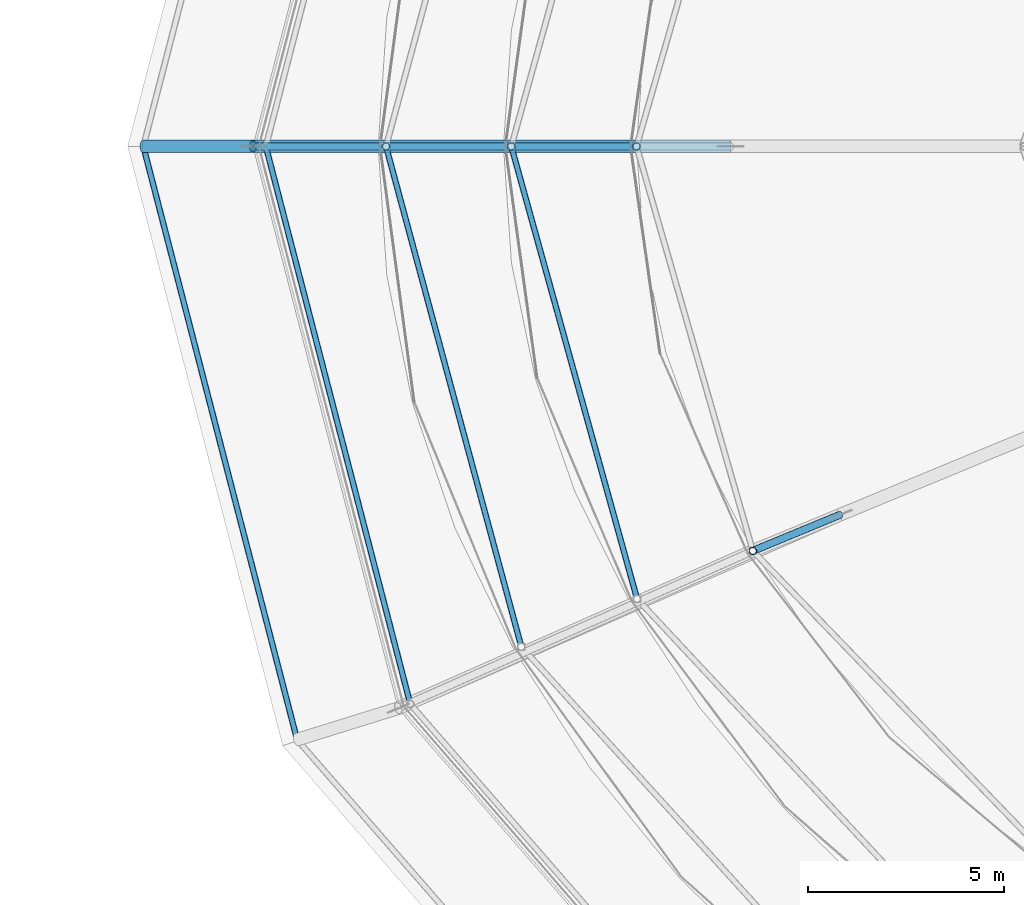
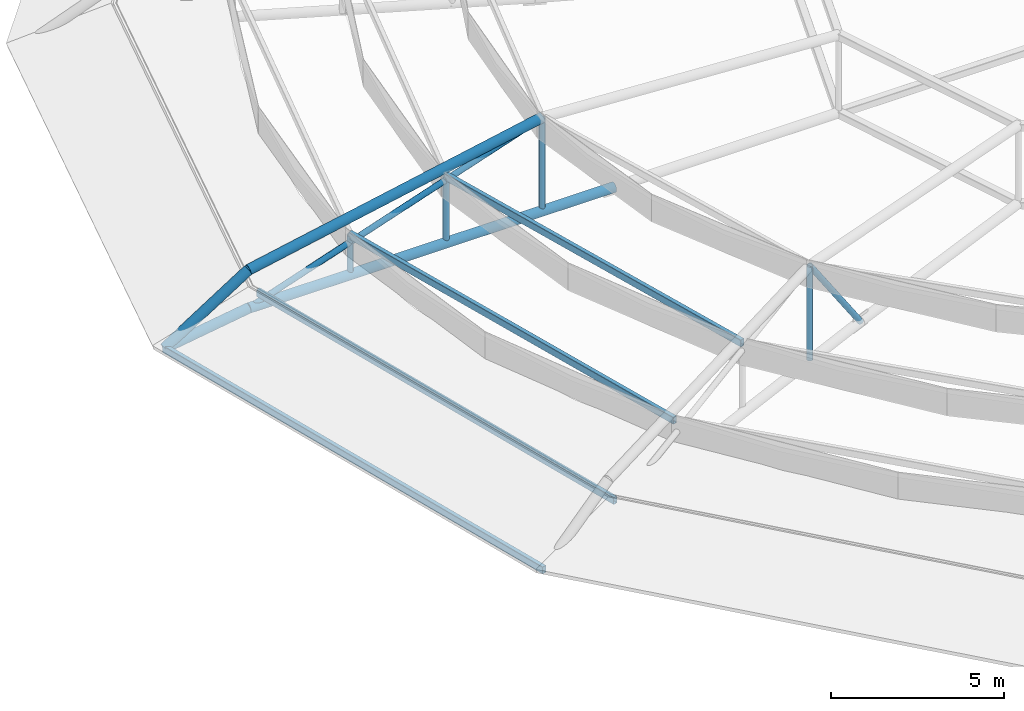
# One storey, part 17 of 134: 10 members, 4 beams.
"""IFC4 building model written with IfcOpenShell, lengths in metres."""

from ifc_helpers import new_model, si_unit, derived_unit, direction, frame, origin, origin_2d, place, context, subcontext, project, spatial, hollow_rectangle, hollow_circle, extrude, material, material_profile, profile_set, type_object, element, save


model = new_model("IFC4")

# Units and contexts
model_context = context("Model", 3, precision=1e-05, world=origin(), true_north=direction((0.0, 1.0)))
body_context = subcontext(model_context, "Body", "Model", "MODEL_VIEW")
ifc_project = project(units=[si_unit("LENGTHUNIT", "METRE"), si_unit("AREAUNIT", "SQUARE_METRE"), si_unit("VOLUMEUNIT", "CUBIC_METRE"), si_unit("PLANEANGLEUNIT", "RADIAN"), si_unit("MASSUNIT", "GRAM", prefix="KILO"), derived_unit("THERMALTRANSMITTANCEUNIT", [(si_unit("MASSUNIT", "GRAM", prefix="KILO"), 1), (si_unit("TIMEUNIT", "SECOND"), -3), (si_unit("THERMODYNAMICTEMPERATUREUNIT", "KELVIN"), -1)])], contexts=[model_context])

# Site, building, storey
site_placement = place(None, origin())
site = spatial("IfcSite", under=ifc_project, at=site_placement, CompositionType="ELEMENT")
building_placement = place(site_placement, origin())
building = spatial("IfcBuilding", under=site, at=building_placement, Name="Kharveza Railside Sports Centre", CompositionType="ELEMENT")
storey_placement = place(building_placement, frame((0.0, 0.0, 12.89990234375)))
storey = spatial("IfcBuildingStorey", under=building, at=storey_placement, Name="L03", CompositionType="ELEMENT", Elevation=12.89990234375)

# Beams
ifc_material = material(Name="Steel S355J2", Category="steel")
ifc_material_profile_1 = material_profile(ifc_material, hollow_rectangle(XDim=0.14990234375, YDim=0.25, WallThickness=0.010009765625, InnerFilletRadius=0.010009765625, OuterFilletRadius=0.02001953125, at=origin_2d()), Name="RHS 150x250x10.0")
ifc_profile_set_1 = profile_set([ifc_material_profile_1], Name="Steel S355J2")
beam_type = type_object("IfcBeamType", Name="BM-SP04", PredefinedType="SPANDREL", material=ifc_profile_set_1)
beam_1_placement = place(storey_placement, frame((6.1298828125, 50.39990234375, 0.405029296875), z_axis=(0.250724368606, -0.968058516303, 0.0), x_axis=(0.968058516303, 0.250724368606, 0.0)))
element("IfcBeam", 1, at=beam_1_placement, inside=storey, type_object=beam_type, Name="BM-LIDRING-S1-09", PredefinedType="SPANDREL", context=body_context, shape_type="SweptSolid", body=[
    extrude(hollow_rectangle(XDim=0.14990234375, YDim=0.25, WallThickness=0.010009765625, InnerFilletRadius=0.010009765625, OuterFilletRadius=0.02001953125, at=origin_2d()), origin(), (0.0, 0.0, 1.0), 14.716064453125),
])
beam_2_placement = place(storey_placement, frame((9.199951171875, 50.39990234375, 1.35498046875), z_axis=(0.26100423144, -0.965337656559, 0.0), x_axis=(0.965337656559, 0.26100423144, 0.0)))
element("IfcBeam", 2, at=beam_2_placement, inside=storey, type_object=beam_type, Name="BM-LIDRING-S2-09", PredefinedType="SPANDREL", context=body_context, shape_type="SweptSolid", body=[
    extrude(hollow_rectangle(XDim=0.14990234375, YDim=0.25, WallThickness=0.010009765625, InnerFilletRadius=0.010009765625, OuterFilletRadius=0.02001953125, at=origin_2d()), origin(), (0.0, 0.0, 1.0), 13.240478515625),
])
beam_3_placement = place(storey_placement, frame((12.39990234375, 50.39990234375, 2.30517578125), z_axis=(0.267810769771, -0.963471531284, 0.0), x_axis=(0.963471531284, 0.267810769771, 0.0)))
element("IfcBeam", 3, at=beam_3_placement, inside=storey, type_object=beam_type, Name="BM-LIDRING-S3-09", PredefinedType="SPANDREL", context=body_context, shape_type="SweptSolid", body=[
    extrude(hollow_rectangle(XDim=0.14990234375, YDim=0.25, WallThickness=0.010009765625, InnerFilletRadius=0.010009765625, OuterFilletRadius=0.02001953125, at=origin_2d()), origin(), (0.0, 0.0, 1.0), 11.9951171875),
])
beam_4_placement = place(storey_placement, frame((3.0, 50.39990234375, -0.47998046875), z_axis=(0.250896670111, -0.968013874346, 0.0), x_axis=(0.968013874346, 0.250896670111, 0.0)))
element("IfcBeam", 4, at=beam_4_placement, inside=storey, type_object=beam_type, Name="BM-LIDRING-RIM-09", PredefinedType="SPANDREL", context=body_context, shape_type="SweptSolid", body=[
    extrude(hollow_rectangle(XDim=0.14990234375, YDim=0.25, WallThickness=0.010009765625, InnerFilletRadius=0.010009765625, OuterFilletRadius=0.02001953125, at=origin_2d()), origin(), (0.0, 0.0, 1.0), 15.65478515625),
])

# Members
ifc_material_profile_2 = material_profile(ifc_material, hollow_circle(Radius=0.161865234375, WallThickness=0.01611328125, at=origin_2d()), Name="CHS 323.9x16.0")
ifc_profile_set_2 = profile_set([ifc_material_profile_2], Name="Steel S355J2")
member_type_1 = type_object("IfcMemberType", Name="MB-CH02", PredefinedType="CHORD", material=ifc_profile_set_2)
member_1_placement = place(storey_placement, frame((18.0, 50.39990234375, -0.0498046875), z_axis=(-1.0, 0.0, 0.0), x_axis=(0.0, -1.0, 0.0)))
element("IfcMember", 5, at=member_1_placement, inside=storey, type_object=member_type_1, Name="MB-OUT-BC2-09", PredefinedType="CHORD", context=body_context, shape_type="SweptSolid", body=[
    extrude(hollow_circle(Radius=0.161865234375, WallThickness=0.01611328125, at=origin_2d()), origin(), (0.0, 0.0, 1.0), 12.199951171875),
])
member_2_placement = place(storey_placement, frame((5.800048828125, 50.39990234375, -0.0498046875), z_axis=(-0.98840355771, 0.0, -0.151849949314), x_axis=(0.0, -1.0, 0.0)))
element("IfcMember", 6, at=member_2_placement, inside=storey, type_object=member_type_1, Name="MB-OUT-BC3-09", PredefinedType="CHORD", context=body_context, shape_type="SweptSolid", body=[
    extrude(hollow_circle(Radius=0.161865234375, WallThickness=0.01611328125, at=origin_2d()), origin(), (0.0, 0.0, 1.0), 2.8330078125),
])
member_3_placement = place(storey_placement, frame((15.60009765625, 50.39990234375, 3.25), z_axis=(-0.98077378423, 0.0, -0.195148108284), x_axis=(0.0, -1.0, 0.0)))
element("IfcMember", 7, at=member_3_placement, inside=storey, type_object=member_type_1, Name="MB-OUT-TC2-09", PredefinedType="CHORD", context=body_context, shape_type="SweptSolid", body=[
    extrude(hollow_circle(Radius=0.161865234375, WallThickness=0.01611328125, at=origin_2d()), origin(), (0.0, 0.0, 1.0), 9.9921875),
])
member_4_placement = place(storey_placement, frame((5.800048828125, 50.39990234375, 1.300048828125), z_axis=(-0.843909844233, 0.0, -0.53648501825), x_axis=(0.0, -1.0, 0.0)))
element("IfcMember", 8, at=member_4_placement, inside=storey, type_object=member_type_1, Name="MB-OUT-TC3-09", PredefinedType="CHORD", context=body_context, shape_type="SweptSolid", body=[
    extrude(hollow_circle(Radius=0.161865234375, WallThickness=0.01611328125, at=origin_2d()), origin(), (0.0, 0.0, 1.0), 3.31787109375),
])
ifc_material_profile_3 = material_profile(ifc_material, hollow_circle(Radius=0.096923828125, WallThickness=0.010009765625, at=origin_2d()), Name="CHS 193.7x10.0")
ifc_profile_set_3 = profile_set([ifc_material_profile_3], Name="Steel S355J2")
member_type_2 = type_object("IfcMemberType", Name="MB-ST02", PredefinedType="STRUT", material=ifc_profile_set_3)
member_5_placement = place(storey_placement, frame((9.199951171875, 50.39990234375, -0.0498046875), z_axis=(0.0, 0.0, 1.0), x_axis=(1.0, 0.0, 0.0)))
element("IfcMember", 9, at=member_5_placement, inside=storey, type_object=member_type_2, Name="MB-LIDPOST-S2-09", PredefinedType="STRUT", context=body_context, shape_type="SweptSolid", body=[
    extrude(hollow_circle(Radius=0.096923828125, WallThickness=0.010009765625, at=origin_2d()), origin(), (0.0, 0.0, 1.0), 1.40478515625),
])
member_6_placement = place(storey_placement, frame((12.39990234375, 50.39990234375, -0.0498046875), z_axis=(0.0, 0.0, 1.0), x_axis=(1.0, 0.0, 0.0)))
element("IfcMember", 10, at=member_6_placement, inside=storey, type_object=member_type_2, Name="MB-LIDPOST-S3-09", PredefinedType="STRUT", context=body_context, shape_type="SweptSolid", body=[
    extrude(hollow_circle(Radius=0.096923828125, WallThickness=0.010009765625, at=origin_2d()), origin(), (0.0, 0.0, 1.0), 2.35498046875),
])
for number, where, z_axis, x_axis, name in (
    (11, (15.60009765625, 50.39990234375, -0.0498046875), (0.0, 0.0, 1.0), (1.0, 0.0, 0.0), "MB-LIDPOST-S4-09"),
    (12, (18.568603515625, 40.067626953125, -0.0498046875), (0.0, 0.0, 1.0), (1.0, 0.0, 0.0), "MB-LIDPOST-S4-10"),
):
    element("IfcMember", number, at=place(storey_placement, frame(where, z_axis=z_axis, x_axis=x_axis)), inside=storey, type_object=member_type_2, Name=name, PredefinedType="STRUT", context=body_context, shape_type="SweptSolid", body=[
        extrude(hollow_circle(Radius=0.096923828125, WallThickness=0.010009765625, at=origin_2d()), origin(), (0.0, 0.0, 1.0), 3.304931640625),
    ])
member_7_placement = place(storey_placement, frame((15.60009765625, 50.39990234375, 3.25), z_axis=(-0.947718002324, 0.0, -0.319109053571), x_axis=(0.0, -1.0, 0.0)))
element("IfcMember", 13, at=member_7_placement, inside=storey, type_object=member_type_2, Name="MB-OUT-WEB-09-3", PredefinedType="STRUT", context=body_context, shape_type="SweptSolid", body=[
    extrude(hollow_circle(Radius=0.096923828125, WallThickness=0.010009765625, at=origin_2d()), origin(), (0.0, 0.0, 1.0), 10.340576171875),
])
member_8_placement = place(storey_placement, frame((20.785888671875, 40.986083984375, -0.0498046875), z_axis=(-0.543408563364, -0.225153757315, 0.808710652106), x_axis=(0.382780016916, -0.923839519965, 0.0)))
element("IfcMember", 14, at=member_8_placement, inside=storey, type_object=member_type_2, Name="MB-OUT-WEB-10-2", PredefinedType="STRUT", context=body_context, shape_type="SweptSolid", body=[
    extrude(hollow_circle(Radius=0.096923828125, WallThickness=0.010009765625, at=origin_2d()), origin(), (0.0, 0.0, 1.0), 4.080322265625),
])

save(model, "model.ifc")
